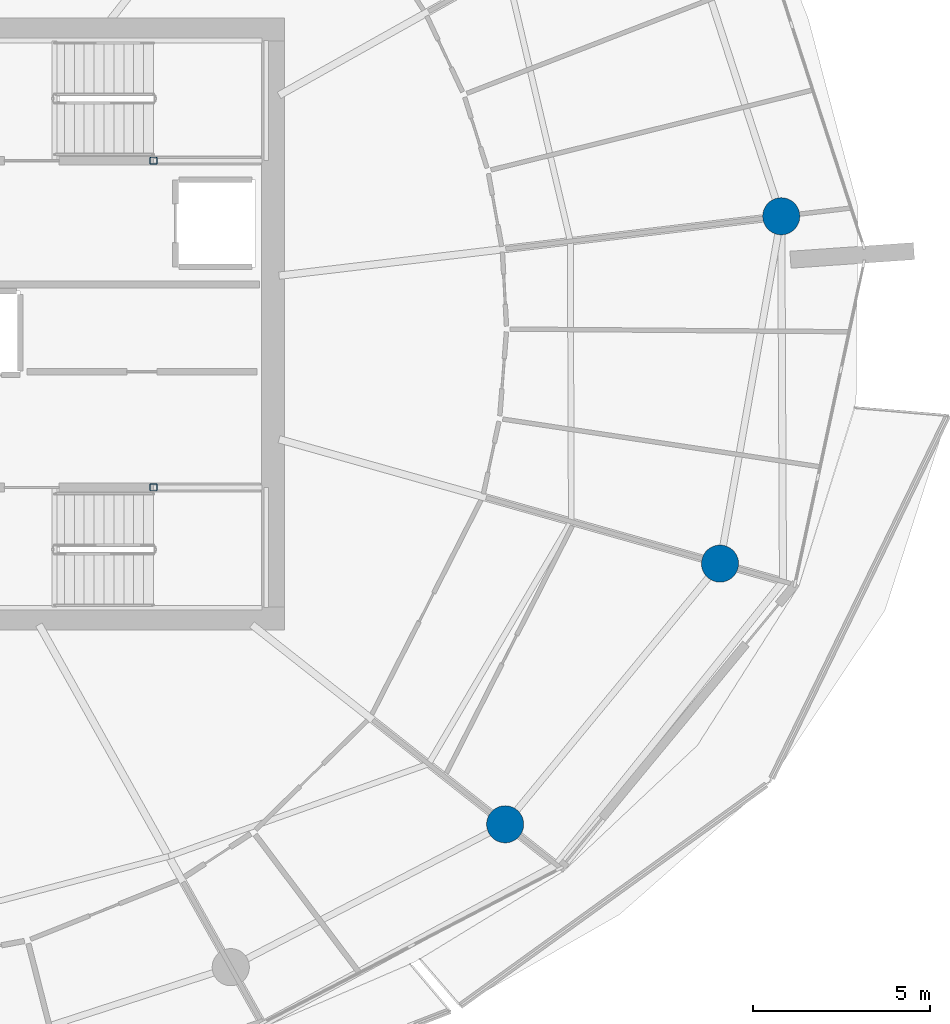
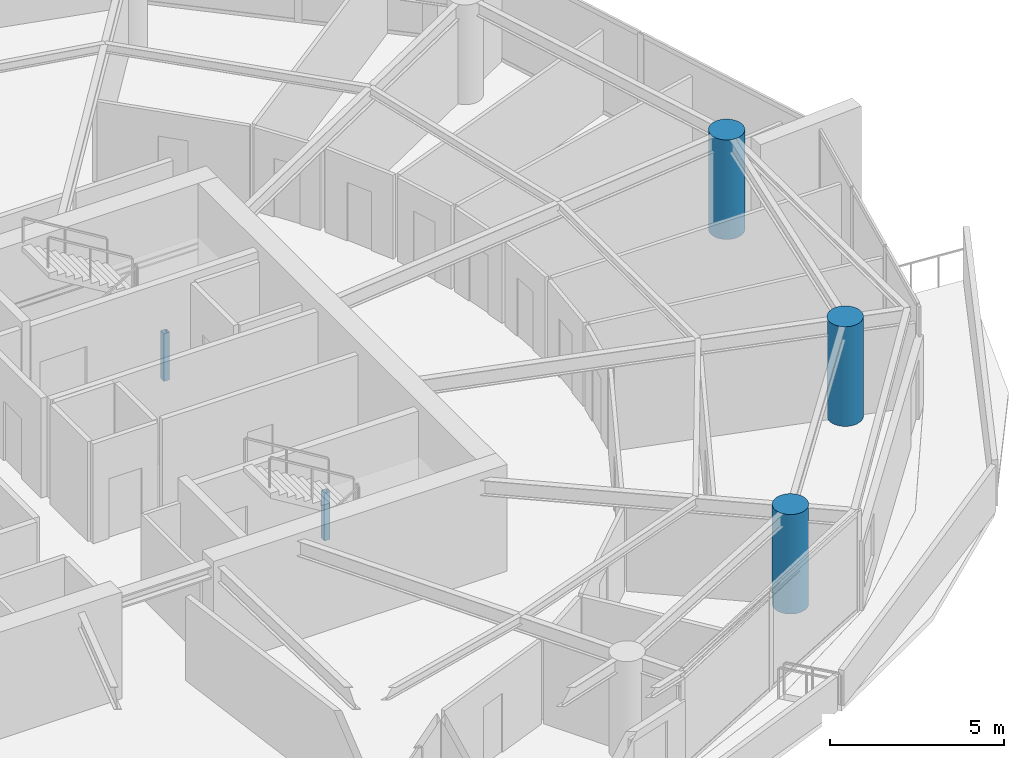
# One storey, part 3 of 20: 5 columns.
"""IFC4 building model written with IfcOpenShell, lengths in metres."""

import ifcopenshell
import ifcopenshell.guid

model = None  # the IFC model being written
_history = None  # IfcOwnerHistory: only IFC2X3 demands one
_inside = {}  # id of a spatial element -> (the spatial element, [elements in it])
_under = {}  # id of a project, library or spatial element -> (it, [spatial elements below it])
_declared = {}  # id of a project -> (the project, [libraries it declares])
_typed = {}  # id of a type object -> (the type object, [elements of that type])
_made_of = {}  # id of a material, layer set ... -> (it, [elements and type objects made of it])


def new_model(schema):
    """Start an empty IFC model of exactly this schema.

    Asked for "IFC4X3", IfcOpenShell would pick the latest addendum, in which some entities
    have other attributes; the version numbers below select the first issue.
    IFC2X3 requires an IfcOwnerHistory on every rooted entity: one is made here for all.
    """
    global model, _history
    if schema == "IFC4X3":
        model = ifcopenshell.file(schema_version=(4, 3, 0, 0))
    else:
        model = ifcopenshell.file(schema=schema)
    _inside.clear()
    _under.clear()
    _declared.clear()
    _typed.clear()
    _made_of.clear()
    _history = None
    if model.schema == "IFC2X3":
        org = make("IfcOrganization", Name="unknown")
        user = make(
            "IfcPersonAndOrganization",
            ThePerson=make("IfcPerson", FamilyName="unknown"),
            TheOrganization=org,
        )
        app = make(
            "IfcApplication",
            ApplicationDeveloper=org,
            Version="unknown",
            ApplicationFullName="unknown",
            ApplicationIdentifier="unknown",
        )
        _history = make(
            "IfcOwnerHistory",
            OwningUser=user,
            OwningApplication=app,
            ChangeAction="ADDED",
            CreationDate=0,
        )
    return model


def make(cls, **values):
    """One entity of the class cls with the attributes given. An attribute that is None is left unset."""
    return model.create_entity(
        cls, **{name: value for name, value in values.items() if value is not None}
    )


def rooted(cls, **values):
    """An entity with a GlobalId (a new one), such as an element, a storey or a relation."""
    return make(cls, GlobalId=ifcopenshell.guid.new(), OwnerHistory=_history, **values)


def si_unit(unit_type, name, prefix=None):
    """IfcSIUnit, for example si_unit("LENGTHUNIT", "METRE", prefix="MILLI")."""
    return make("IfcSIUnit", UnitType=unit_type, Prefix=prefix, Name=name)


def assignment(units):
    """IfcUnitAssignment: the units of a project."""
    return None if units is None else make("IfcUnitAssignment", Units=units)


def point(xyz):
    """IfcCartesianPoint."""
    return None if xyz is None else make("IfcCartesianPoint", Coordinates=xyz)


def direction(xyz):
    """IfcDirection."""
    return None if xyz is None else make("IfcDirection", DirectionRatios=xyz)


def frame(location, z_axis=None, x_axis=None):
    """IfcAxis2Placement3D, a coordinate frame: its origin and axes. An axis left out is left unset."""
    return make(
        "IfcAxis2Placement3D",
        Location=point(location),
        Axis=direction(z_axis),
        RefDirection=direction(x_axis),
    )


def frame_2d(location, x_axis=None):
    """IfcAxis2Placement2D, a coordinate frame in the plane: its origin and x axis."""
    return make(
        "IfcAxis2Placement2D", Location=point(location), RefDirection=direction(x_axis)
    )


def origin():
    """The frame at (0, 0, 0) with its axes left unset."""
    return frame((0.0, 0.0, 0.0))


def origin_2d():
    """The frame at (0, 0) in the plane with its x axis left unset."""
    return frame_2d((0.0, 0.0))


def place(relative_to, where):
    """IfcLocalPlacement: puts the frame where relative to a parent placement (None: the world)."""
    return make(
        "IfcLocalPlacement", PlacementRelTo=relative_to, RelativePlacement=where
    )


def context(
    kind, dimensions, precision=None, world=None, true_north=None, identifier=None
):
    """IfcGeometricRepresentationContext, for example the 3D "Model" context."""
    return make(
        "IfcGeometricRepresentationContext",
        ContextIdentifier=identifier,
        ContextType=kind,
        CoordinateSpaceDimension=dimensions,
        Precision=precision,
        WorldCoordinateSystem=world,
        TrueNorth=true_north,
    )


def subcontext(parent, identifier, kind, view, scale=None):
    """IfcGeometricRepresentationSubContext, for example "Body" below "Model"."""
    return make(
        "IfcGeometricRepresentationSubContext",
        ContextIdentifier=identifier,
        ContextType=kind,
        ParentContext=parent,
        TargetScale=scale,
        TargetView=view,
    )


def project(units=None, contexts=None):
    """IfcProject with its units and contexts."""
    return rooted(
        "IfcProject",
        Name="project",
        RepresentationContexts=contexts,
        UnitsInContext=assignment(units),
    )


def spatial(cls, under=None, at=None, **own):
    """A site, building, storey or space (cls), placed at a placement, below another one or the project."""
    s = rooted(cls, ObjectPlacement=at, **own)
    if under is not None:
        _under.setdefault(under.id(), (under, []))[1].append(s)
    return s


def profile(cls, at=None, kind="AREA", **sizes):
    """A parametric profile (cls). Its sizes go by their IFC names, for example OverallWidth=200.0."""
    return make(cls, ProfileType=kind, Position=at, **sizes)


def hollow_rectangle(**sizes):
    """IfcRectangleHollowProfileDef."""
    return profile("IfcRectangleHollowProfileDef", **sizes)


def circle(**sizes):
    """IfcCircleProfileDef."""
    return profile("IfcCircleProfileDef", **sizes)


def extrude(swept, where, along, depth):
    """IfcExtrudedAreaSolid: the profile swept, set in the frame where, extruded along a direction by depth."""
    return make(
        "IfcExtrudedAreaSolid",
        SweptArea=swept,
        Position=where,
        ExtrudedDirection=direction(along),
        Depth=depth,
    )


def shape(context_of_items, identifier, shape_type, items):
    """IfcShapeRepresentation: the items that make up one representation, for example the "Body"."""
    return make(
        "IfcShapeRepresentation",
        ContextOfItems=context_of_items,
        RepresentationIdentifier=identifier,
        RepresentationType=shape_type,
        Items=items,
    )


def material(Name=None, Category=None):
    """IfcMaterial."""
    return make("IfcMaterial", Name=Name, Category=Category)


def material_profile(
    of_material, cross_section, Name=None, Category=None, Priority=None
):
    """IfcMaterialProfile: a cross section and its material."""
    return make(
        "IfcMaterialProfile",
        Name=Name,
        Material=of_material,
        Profile=cross_section,
        Priority=Priority,
        Category=Category,
    )


def profile_set(profiles, Name=None, composite=None):
    """IfcMaterialProfileSet."""
    return make(
        "IfcMaterialProfileSet",
        Name=Name,
        MaterialProfiles=profiles,
        CompositeProfile=composite,
    )


def made_of(thing, what):
    """Note that an element or type object is made of a material, layer set ...; save() writes the relation."""
    if what is not None:
        _made_of.setdefault(what.id(), (what, []))[1].append(thing)
    return thing


def type_object(cls, material=None, **own):
    """A type object (cls), such as IfcWallType, which elements share."""
    return made_of(rooted(cls, **own), material)


def element(
    cls,
    number,
    at=None,
    inside=None,
    cuts=None,
    type_object=None,
    material=None,
    context=None,
    identifier="Body",
    shape_type=None,
    held_by="IfcProductDefinitionShape",
    body=None,
    shapes=None,
    **own,
):
    """One element of the class cls, such as IfcWall. Its Tag is "e" and its number.

    at: its placement. inside: the storey or other place that contains it. cuts: it is an
    opening in that element (IfcRelVoidsElement). A single representation is given by context,
    identifier, shape_type and body (its items); several are given by shapes. held_by: the class
    of the entity that holds the representations. save() writes the other relations.
    """
    e = rooted(cls, Tag="e%d" % number, ObjectPlacement=at, **own)
    if body is not None:
        shapes = [shape(context, identifier, shape_type, body)]
    if shapes is not None:
        e.Representation = make(held_by, Representations=shapes)
    if inside is not None:
        _inside.setdefault(inside.id(), (inside, []))[1].append(e)
    if cuts is not None:
        rooted(
            "IfcRelVoidsElement", RelatingBuildingElement=cuts, RelatedOpeningElement=e
        )
    if type_object is not None:
        _typed.setdefault(type_object.id(), (type_object, []))[1].append(e)
    return made_of(e, material)


def aggregate(whole, parts):
    """IfcRelAggregates: a whole, such as a stair, and the parts it consists of."""
    return rooted("IfcRelAggregates", RelatingObject=whole, RelatedObjects=parts)


def save(model, path):
    """Write the relations noted so far, then the file.

    IfcRelAggregates (storeys below a building ...), IfcRelContainedInSpatialStructure (elements
    in a storey), IfcRelDefinesByType, IfcRelAssociatesMaterial and IfcRelDeclares: one each for
    every whole, place, type object, material and project.
    """
    for whole, parts in _under.values():
        aggregate(whole, parts)
    for where, things in _inside.values():
        rooted(
            "IfcRelContainedInSpatialStructure",
            RelatedElements=things,
            RelatingStructure=where,
        )
    for kind, things in _typed.values():
        rooted("IfcRelDefinesByType", RelatedObjects=things, RelatingType=kind)
    for what, things in _made_of.values():
        rooted("IfcRelAssociatesMaterial", RelatedObjects=things, RelatingMaterial=what)
    for by, libraries in _declared.values():
        rooted("IfcRelDeclares", RelatingContext=by, RelatedDefinitions=libraries)
    model.write(path)


model = new_model("IFC4")

# Units and contexts
model_context = context("Model", 3, precision=1e-05, world=origin(), true_north=direction((0.0, 1.0)))
body_context = subcontext(model_context, "Body", "Model", "MODEL_VIEW")
ifc_project = project(units=[si_unit("LENGTHUNIT", "METRE"), si_unit("AREAUNIT", "SQUARE_METRE"), si_unit("VOLUMEUNIT", "CUBIC_METRE"), si_unit("PLANEANGLEUNIT", "RADIAN"), si_unit("MASSUNIT", "GRAM", prefix="KILO")], contexts=[model_context])

# Site, building, storey
site_placement = place(None, origin())
site = spatial("IfcSite", under=ifc_project, at=site_placement, CompositionType="ELEMENT")
building_placement = place(site_placement, origin())
building = spatial("IfcBuilding", under=site, at=building_placement, Name="Kazma Halo Residences", CompositionType="ELEMENT")
storey_placement = place(building_placement, frame((0.0, 0.0, 210.300048828125)))
storey = spatial("IfcBuildingStorey", under=building, at=storey_placement, Name="L53", CompositionType="ELEMENT", Elevation=210.300048828125)

# Columns
ifc_material_1 = material(Name="Steel S355", Category="steel")
ifc_material_profile_1 = material_profile(ifc_material_1, hollow_rectangle(XDim=0.199951171875, YDim=0.199951171875, WallThickness=0.010009765625, InnerFilletRadius=0.010009765625, OuterFilletRadius=0.02001953125, at=origin_2d()), Name="SHS200x200x10")
ifc_profile_set_1 = profile_set([ifc_material_profile_1], Name="Steel S355")
column_type_1 = type_object("IfcColumnType", Name="COL-LP-SHS200", PredefinedType="COLUMN", material=ifc_profile_set_1)
for number, where, z_axis, x_axis, name in (
    (1, (56.0, 46.6201171875, 0.0), (0.0, 0.0, 1.0), (1.0, 0.0, 0.0), "L53 ST-02 landing pilaster 1"),
    (2, (56.0, 37.3798828125, 0.0), (0.0, 0.0, 1.0), (1.0, 0.0, 0.0), "L53 ST-03 landing pilaster 1"),
):
    element("IfcColumn", number, at=place(storey_placement, frame(where, z_axis=z_axis, x_axis=x_axis)), inside=storey, type_object=column_type_1, Name=name, PredefinedType="COLUMN", context=body_context, shape_type="SweptSolid", body=[
        extrude(hollow_rectangle(XDim=0.199951171875, YDim=0.199951171875, WallThickness=0.010009765625, InnerFilletRadius=0.010009765625, OuterFilletRadius=0.02001953125, at=origin_2d()), origin(), (0.0, 0.0, 1.0), 1.669921875),
    ])
ifc_material_2 = material(Name="Concrete C80/95", Category="concrete")
ifc_material_profile_2 = material_profile(ifc_material_2, circle(Radius=0.52490234375, at=origin_2d()), Name="CIRC1050")
ifc_profile_set_2 = profile_set([ifc_material_profile_2], Name="Concrete C80/95")
column_type_2 = type_object("IfcColumnType", Name="COL-PERIM-1050", PredefinedType="COLUMN", material=ifc_profile_set_2)
for number, where, z_axis, x_axis, name in (
    (3, (65.944091796875, 27.85400390625, 0.0), (0.0, 0.0, 1.0), (1.0, 0.0, 0.0), "L53 perimeter ring column P14"),
    (4, (72.019775390625, 35.2255859375, 0.0), (0.0, 0.0, 1.0), (1.0, 0.0, 0.0), "L53 perimeter ring column P15"),
    (5, (73.751708984375, 45.0478515625, 0.0), (0.0, 0.0, 1.0), (1.0, 0.0, 0.0), "L53 perimeter ring column P16"),
):
    element("IfcColumn", number, at=place(storey_placement, frame(where, z_axis=z_axis, x_axis=x_axis)), inside=storey, type_object=column_type_2, Name=name, PredefinedType="COLUMN", context=body_context, shape_type="SweptSolid", body=[
        extrude(circle(Radius=0.52490234375, at=origin_2d()), origin(), (0.0, 0.0, 1.0), 3.5),
    ])

save(model, "model.ifc")
